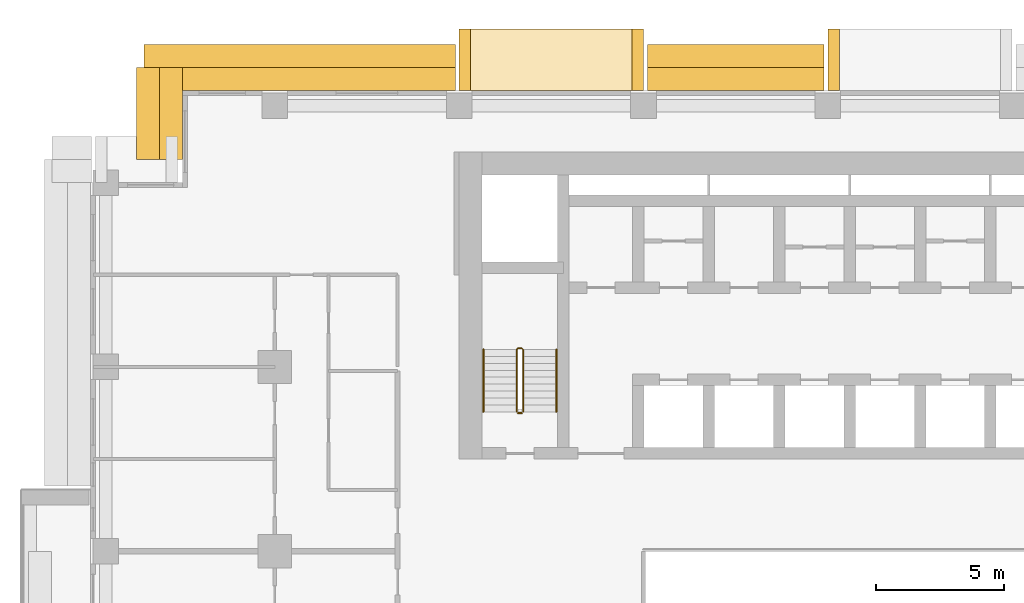
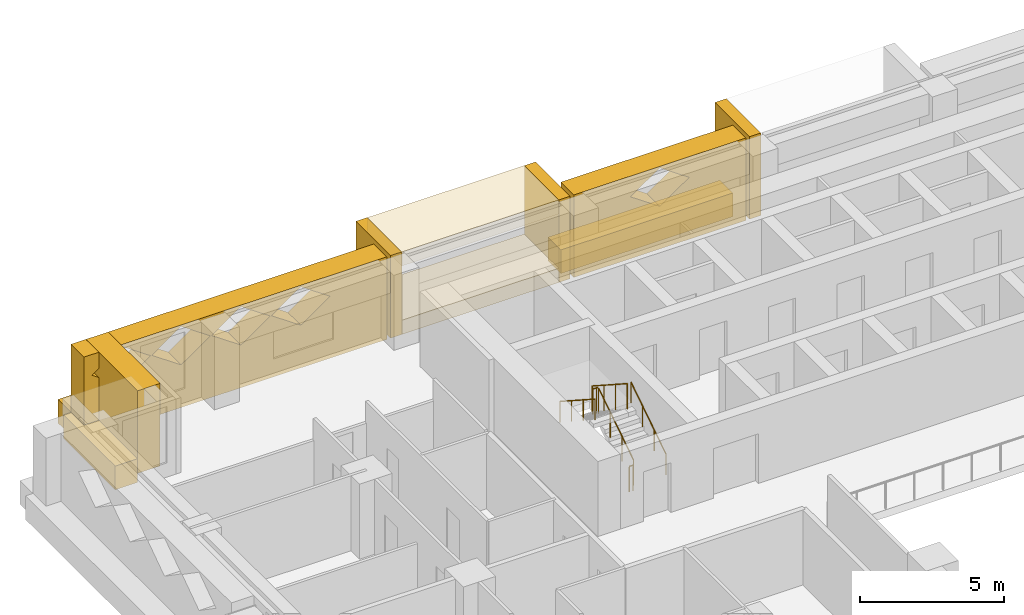
# One storey, part 15 of 17: 11 coverings, 4 railings.
"""IFC4 building model written with IfcOpenShell, lengths in metres."""

from ifc_helpers import new_model, si_unit, direction, frame, origin, origin_2d, place, context, subcontext, project, spatial, polyline, circle, outline, extrude, material, layer, layer_set, type_object, element, save


model = new_model("IFC4")

# Units and contexts
model_context = context("Model", 3, precision=1e-05, world=origin(), true_north=direction((0.0, 1.0)))
body_context = subcontext(model_context, "Body", "Model", "MODEL_VIEW")
ifc_project = project(units=[si_unit("LENGTHUNIT", "METRE"), si_unit("AREAUNIT", "SQUARE_METRE"), si_unit("VOLUMEUNIT", "CUBIC_METRE"), si_unit("PLANEANGLEUNIT", "RADIAN"), si_unit("MASSUNIT", "GRAM", prefix="KILO")], contexts=[model_context])

# Site, building, storey
site_placement = place(None, origin())
site = spatial("IfcSite", under=ifc_project, at=site_placement, CompositionType="ELEMENT")
building_placement = place(site_placement, origin())
building = spatial("IfcBuilding", under=site, at=building_placement, Name="Saffron Iwan Residences", CompositionType="ELEMENT")
storey_placement = place(building_placement, frame((0.0, 0.0, 72.5)))
storey = spatial("IfcBuildingStorey", under=building, at=storey_placement, Name="L18", CompositionType="ELEMENT", Elevation=72.5)

# Coverings
ifc_material_1 = material(Name="Precast concrete C40/50", Category="concrete")
covering_type_1 = type_object("IfcCoveringType", Name="OUTER SKIN LATTICE SCREEN", PredefinedType="CLADDING", material=ifc_material_1)
covering_1_placement = place(storey_placement, frame((43.050048828125, 80.39990234375, -0.320068359375), z_axis=(0.0, 1.0, 0.0), x_axis=(-1.0, 0.0, 0.0)))
element("IfcCovering", 1, at=covering_1_placement, inside=storey, type_object=covering_type_1, Name="OUTER SKIN lattice screen L18 F5.3", PredefinedType="CLADDING", context=body_context, shape_type="SweptSolid", body=[
    extrude(outline(polyline([(0.0, 0.0), (6.89990234375, 0.0), (6.89990234375, 3.5), (0.0, 3.5), (0.0, 0.0)]), holes=[polyline([(2.27001953125, 2.625), (3.449951171875, 1.81005859375), (4.6298828125, 2.625), (3.449951171875, 3.43994140625), (2.27001953125, 2.625)])]), origin(), (0.0, 0.0, 1.0), 0.900146484375),
])
covering_2_placement = place(storey_placement, frame((28.64990234375, 80.39990234375, -0.320068359375), z_axis=(0.0, 1.0, 0.0), x_axis=(-1.0, 0.0, 0.0)))
element("IfcCovering", 2, at=covering_2_placement, inside=storey, type_object=covering_type_1, Name="OUTER SKIN lattice screen L18 F5.4", PredefinedType="CLADDING", context=body_context, shape_type="SweptSolid", body=[
    extrude(outline(polyline([(0.0, 0.0), (12.14990234375, 0.0), (12.14990234375, 3.5), (0.0, 3.5), (0.0, 0.0)]), holes=[polyline([(2.27001953125, 2.625), (3.449951171875, 1.81005859375), (4.6298828125, 2.625), (3.449951171875, 3.43994140625), (2.27001953125, 2.625)]), polyline([(4.669921875, 2.625), (5.85009765625, 1.81005859375), (7.030029296875, 2.625), (5.85009765625, 3.43994140625), (4.669921875, 2.625)]), polyline([(7.070068359375, 2.625), (8.25, 1.81005859375), (9.429931640625, 2.625), (8.25, 3.43994140625), (7.070068359375, 2.625)]), polyline([(9.469970703125, 2.625), (10.64990234375, 1.81005859375), (11.830078125, 2.625), (10.64990234375, 3.43994140625), (9.469970703125, 2.625)])]), origin(), (0.0, 0.0, 1.0), 0.900146484375),
])
covering_3_placement = place(storey_placement, frame((18.0, 81.300048828125, -0.320068359375), z_axis=(-1.0, 0.0, 0.0), x_axis=(0.0, -1.0, 0.0)))
element("IfcCovering", 3, at=covering_3_placement, inside=storey, type_object=covering_type_1, Name="OUTER SKIN lattice screen L18 F6.0", PredefinedType="CLADDING", context=body_context, shape_type="SweptSolid", body=[
    extrude(outline(polyline([(0.0, 0.0), (3.60009765625, 0.0), (3.60009765625, 3.5), (0.0, 3.5), (0.0, 0.0)])), origin(), (0.0, 0.0, 1.0), 0.89990234375),
])

# Railings
ifc_material_2 = material(Name="Steel S355", Category="steel")
railing_type_1 = type_object("IfcRailingType", Name="Stair guard 1100", PredefinedType="GUARDRAIL", material=ifc_material_2)
railing_1_placement = place(storey_placement, frame((31.300048828125, 67.85009765625, 0.175048828125)))
element("IfcRailing", 4, at=railing_1_placement, inside=storey, type_object=railing_type_1, Name="L18 ST-W stair guard 1", PredefinedType="GUARDRAIL", context=body_context, shape_type="SweptSolid", body=[
    extrude(circle(Radius=0.02392578125, at=origin_2d()), frame((0.0, 0.0, 1.076171875), z_axis=(0.0, 0.839153699163, 0.543894354798), x_axis=(-1.0, 0.0, 0.0)), (0.0, 0.0, 1.0), 2.895751953125),
    extrude(circle(Radius=0.02392578125, at=origin_2d()), frame((0.0, 2.429931640625, 2.65087890625), z_axis=(-0.707106781187, 0.707106781187, 0.0), x_axis=(-0.707106781187, -0.707106781187, 0.0)), (0.0, 0.0, 1.0), 0.07080078125),
    extrude(circle(Radius=0.02392578125, at=origin_2d()), frame((-0.050048828125, 2.47998046875, 2.65087890625), z_axis=(-1.0, 0.0, 0.0), x_axis=(0.0, -1.0, 0.0)), (0.0, 0.0, 1.0), 0.14990234375),
    extrude(circle(Radius=0.02392578125, at=origin_2d()), frame((-0.199951171875, 2.47998046875, 2.65087890625), z_axis=(-0.265065253269, -0.265065253269, 0.927081885822), x_axis=(0.707106781187, -0.707106781187, 0.0)), (0.0, 0.0, 1.0), 0.188720703125),
    extrude(circle(Radius=0.02392578125, at=origin_2d()), frame((-0.25, 2.429931640625, 2.826171875), z_axis=(0.0, -0.839153699163, 0.543894354798), x_axis=(1.0, 0.0, 0.0)), (0.0, 0.0, 1.0), 2.895751953125),
    extrude(circle(Radius=0.02099609375, at=origin_2d()), origin(), (0.0, 0.0, 1.0), 1.052001953125),
    extrude(circle(Radius=0.02099609375, at=origin_2d()), frame((0.0, 0.81005859375, 0.52490234375)), (0.0, 0.0, 1.0), 1.052001953125),
    extrude(circle(Radius=0.02099609375, at=origin_2d()), frame((0.0, 1.619873046875, 1.050048828125)), (0.0, 0.0, 1.0), 1.052001953125),
    extrude(circle(Radius=0.02099609375, at=origin_2d()), frame((0.0, 2.429931640625, 1.574951171875)), (0.0, 0.0, 1.0), 1.052001953125),
    extrude(circle(Radius=0.02099609375, at=origin_2d()), frame((-0.050048828125, 2.47998046875, 1.574951171875)), (0.0, 0.0, 1.0), 1.052001953125),
    extrude(circle(Radius=0.02099609375, at=origin_2d()), frame((-0.199951171875, 2.47998046875, 1.574951171875)), (0.0, 0.0, 1.0), 1.052001953125),
    extrude(circle(Radius=0.02099609375, at=origin_2d()), frame((-0.25, 2.429931640625, 1.75)), (0.0, 0.0, 1.0), 1.052001953125),
    extrude(circle(Radius=0.02099609375, at=origin_2d()), frame((-0.25, 1.619873046875, 2.27490234375)), (0.0, 0.0, 1.0), 1.052001953125),
    extrude(circle(Radius=0.02099609375, at=origin_2d()), frame((-0.25, 0.81005859375, 2.800048828125)), (0.0, 0.0, 1.0), 1.052001953125),
    extrude(circle(Radius=0.02099609375, at=origin_2d()), frame((-0.25, 0.0, 3.324951171875)), (0.0, 0.0, 1.0), 1.052001953125),
])
railing_2_placement = place(storey_placement, frame((31.25, 67.800048828125, 0.0)))
element("IfcRailing", 5, at=railing_2_placement, inside=storey, type_object=railing_type_1, Name="L18 ST-W stair guard 2", PredefinedType="GUARDRAIL", context=body_context, shape_type="SweptSolid", body=[
    extrude(circle(Radius=0.02392578125, at=origin_2d()), frame((0.0, 0.0, 1.076171875), z_axis=(-1.0, 0.0, 0.0), x_axis=(0.0, -1.0, 0.0)), (0.0, 0.0, 1.0), 0.14990234375),
    extrude(circle(Radius=0.02099609375, at=origin_2d()), origin(), (0.0, 0.0, 1.0), 1.052001953125),
    extrude(circle(Radius=0.02099609375, at=origin_2d()), frame((-0.14990234375, 0.0, 0.0)), (0.0, 0.0, 1.0), 1.052001953125),
])
ifc_material_3 = material(Name="Stainless steel 316", Category="steel")
railing_type_2 = type_object("IfcRailingType", Name="Stair handrail 900", PredefinedType="HANDRAIL", material=ifc_material_3)
railing_3_placement = place(storey_placement, frame((32.60009765625, 67.85009765625, 0.175048828125)))
element("IfcRailing", 6, at=railing_3_placement, inside=storey, type_object=railing_type_2, Name="L18 ST-W stair handrail 1", PredefinedType="HANDRAIL", context=body_context, shape_type="SweptSolid", body=[
    extrude(circle(Radius=0.02392578125, at=origin_2d()), frame((0.0, 0.0, 0.8759765625), z_axis=(0.0, 0.839153699163, 0.543894354798), x_axis=(-1.0, 0.0, 0.0)), (0.0, 0.0, 1.0), 2.895751953125),
    extrude(circle(Radius=0.02099609375, at=origin_2d()), origin(), (0.0, 0.0, 1.0), 0.851806640625),
    extrude(circle(Radius=0.02099609375, at=origin_2d()), frame((0.0, 0.81005859375, 0.52490234375)), (0.0, 0.0, 1.0), 0.851806640625),
    extrude(circle(Radius=0.02099609375, at=origin_2d()), frame((0.0, 1.619873046875, 1.050048828125)), (0.0, 0.0, 1.0), 0.851806640625),
    extrude(circle(Radius=0.02099609375, at=origin_2d()), frame((0.0, 2.429931640625, 1.574951171875)), (0.0, 0.0, 1.0), 0.851806640625),
])
railing_4_placement = place(storey_placement, frame((29.75, 70.280029296875, 1.925048828125)))
element("IfcRailing", 7, at=railing_4_placement, inside=storey, type_object=railing_type_2, Name="L18 ST-W stair handrail 2", PredefinedType="HANDRAIL", context=body_context, shape_type="SweptSolid", body=[
    extrude(circle(Radius=0.02392578125, at=origin_2d()), frame((0.0, 0.0, 0.8759765625), z_axis=(0.0, -0.839153699163, 0.543894354798), x_axis=(1.0, 0.0, 0.0)), (0.0, 0.0, 1.0), 2.895751953125),
    extrude(circle(Radius=0.02099609375, at=origin_2d()), origin(), (0.0, 0.0, 1.0), 0.851806640625),
    extrude(circle(Radius=0.02099609375, at=origin_2d()), frame((0.0, -0.81005859375, 0.52490234375)), (0.0, 0.0, 1.0), 0.851806640625),
    extrude(circle(Radius=0.02099609375, at=origin_2d()), frame((0.0, -1.619873046875, 1.050048828125)), (0.0, 0.0, 1.0), 0.851806640625),
    extrude(circle(Radius=0.02099609375, at=origin_2d()), frame((0.0, -2.429931640625, 1.574951171875)), (0.0, 0.0, 1.0), 0.851806640625),
])

# Coverings
ifc_material_4 = material(Name="Precast concrete C40/50 white painted", Category="concrete")
ifc_layer = layer(ifc_material_4, 0.89990234375)
ifc_layer_set = layer_set([ifc_layer], Name="Precast concrete C40/50 white painted")
covering_type_2 = type_object("IfcCoveringType", Name="WHITE EDGE BAND 900 x 1000", PredefinedType="CLADDING", material=ifc_layer_set)
covering_4_placement = place(storey_placement, frame((0.0, 0.0, -0.699951171875)))
element("IfcCovering", 8, at=covering_4_placement, inside=storey, type_object=covering_type_2, Name="White edge band L18 F5.3", PredefinedType="CLADDING", context=body_context, shape_type="SweptSolid", body=[
    extrude(outline(polyline([(43.050048828125, 82.199951171875), (36.14990234375, 82.199951171875), (36.14990234375, 81.300048828125), (43.050048828125, 81.300048828125), (43.050048828125, 82.199951171875)])), origin(), (0.0, 0.0, 1.0), 1.0),
])
covering_5_placement = place(storey_placement, frame((0.0, 0.0, -0.699951171875)))
element("IfcCovering", 9, at=covering_5_placement, inside=storey, type_object=covering_type_2, Name="White edge band L18 F5.4", PredefinedType="CLADDING", context=body_context, shape_type="SweptSolid", body=[
    extrude(outline(polyline([(28.64990234375, 82.199951171875), (16.5, 82.199951171875), (16.5, 81.300048828125), (28.64990234375, 81.300048828125), (28.64990234375, 82.199951171875)])), origin(), (0.0, 0.0, 1.0), 1.0),
])
covering_6_placement = place(storey_placement, frame((0.0, 0.0, -0.699951171875)))
element("IfcCovering", 10, at=covering_6_placement, inside=storey, type_object=covering_type_2, Name="White edge band L18 F6.0", PredefinedType="CLADDING", context=body_context, shape_type="SweptSolid", body=[
    extrude(outline(polyline([(16.199951171875, 81.300048828125), (16.199951171875, 77.699951171875), (17.10009765625, 77.699951171875), (17.10009765625, 81.300048828125), (16.199951171875, 81.300048828125)])), origin(), (0.0, 0.0, 1.0), 1.0),
])
covering_type_3 = type_object("IfcCoveringType", Name="WHITE SUN FRAME PRECAST", PredefinedType="CLADDING", material=ifc_material_4)
for number, where, z_axis, x_axis, name in (
    (11, (43.64990234375, 80.39990234375, -0.320068359375), (0.0, 1.0, 0.0), (-1.0, 0.0, 0.0), "Sun frame L18 F5 32.4b"),
    (12, (36.0, 80.39990234375, -0.320068359375), (0.0, 1.0, 0.0), (-1.0, 0.0, 0.0), "Sun frame L18 F5 46.8a"),
    (13, (29.25, 80.39990234375, -0.320068359375), (0.0, 1.0, 0.0), (-1.0, 0.0, 0.0), "Sun frame L18 F5 46.8b"),
):
    element("IfcCovering", number, at=place(storey_placement, frame(where, z_axis=z_axis, x_axis=x_axis)), inside=storey, type_object=covering_type_3, Name=name, PredefinedType="CLADDING", context=body_context, shape_type="SweptSolid", body=[
        extrude(outline(polyline([(0.0, 0.0), (0.449951171875, 0.0), (0.449951171875, 3.5), (0.0, 3.5), (0.0, 0.0)])), origin(), (0.0, 0.0, 1.0), 2.400146484375),
    ])
for number, where, z_axis, x_axis, name in (
    (14, (35.550048828125, 80.39990234375, 2.580078125), (0.0, 1.0, 0.0), (-1.0, 0.0, 0.0), "Sun frame L18 F5 46.8h"),
    (15, (35.550048828125, 80.39990234375, -0.320068359375), (0.0, 1.0, 0.0), (-1.0, 0.0, 0.0), "Sun frame L18 F5 46.8s"),
):
    element("IfcCovering", number, at=place(storey_placement, frame(where, z_axis=z_axis, x_axis=x_axis)), inside=storey, type_object=covering_type_3, Name=name, PredefinedType="CLADDING", context=body_context, shape_type="SweptSolid", body=[
        extrude(outline(polyline([(0.0, 0.0), (6.300048828125, 0.0), (6.300048828125, 0.60009765625), (0.0, 0.60009765625), (0.0, 0.0)])), origin(), (0.0, 0.0, 1.0), 2.400146484375),
    ])

save(model, "model.ifc")
